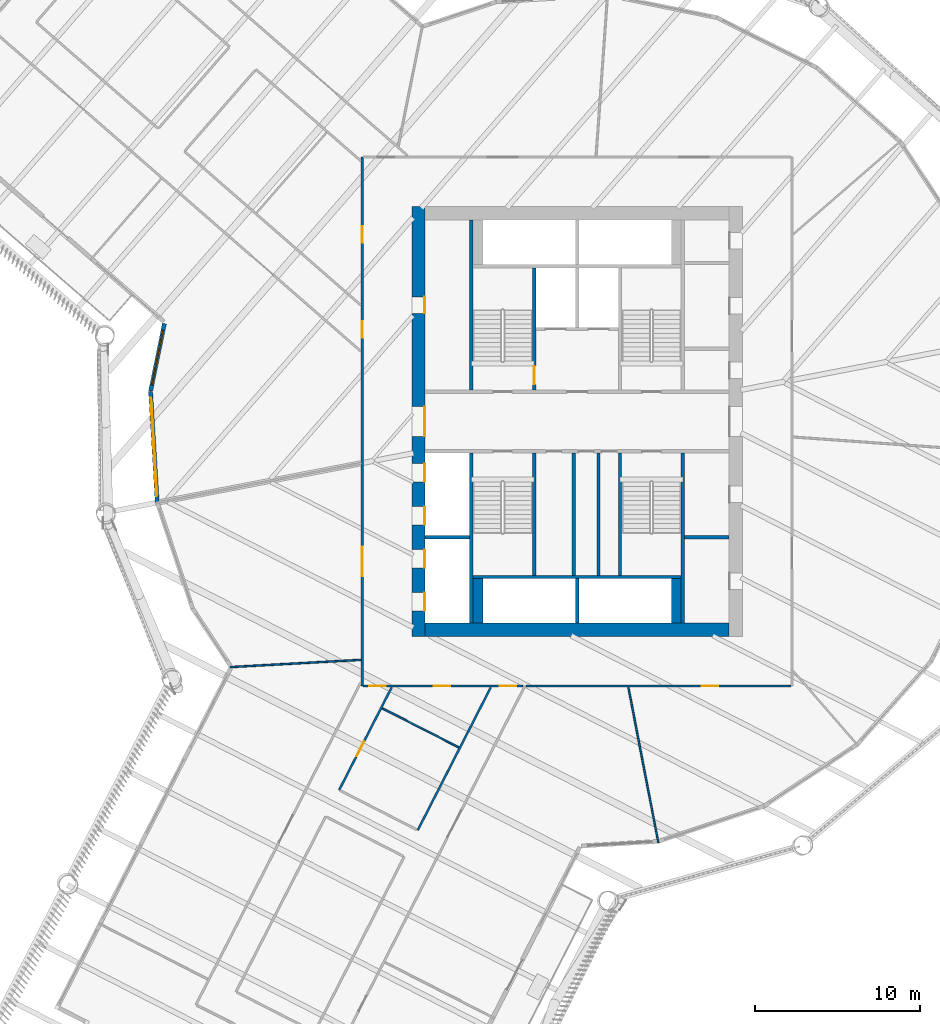
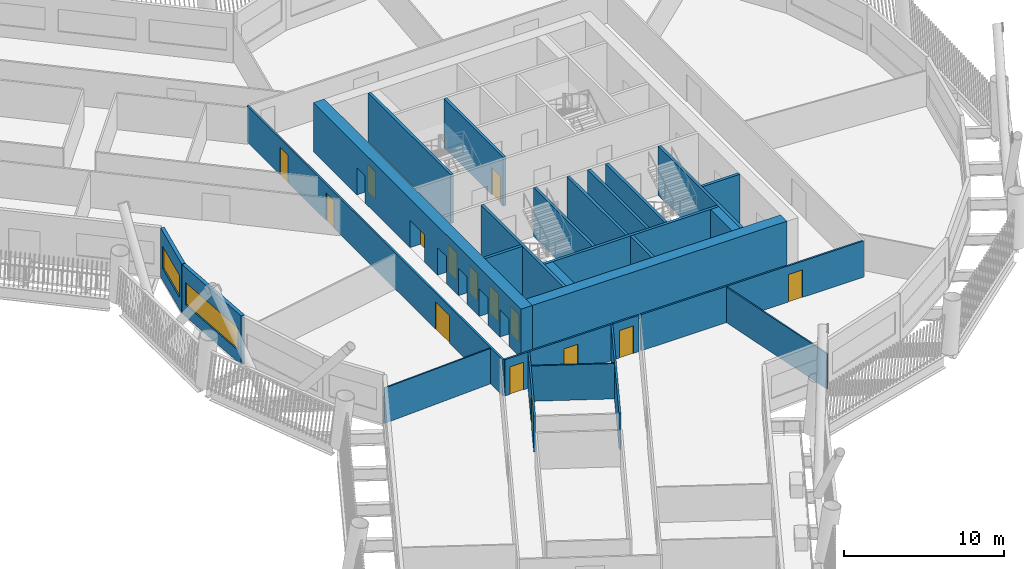
# One storey, part 4 of 21: 26 walls, 15 doors, 2 windows, 17 openings.
"""IFC4 building model written with IfcOpenShell, lengths in metres."""

from ifc_helpers import new_model, si_unit, direction, frame, frame_2d, origin, place, context, subcontext, project, spatial, rectangle, extrude, material, layer, layer_set, type_object, element, fill, save


model = new_model("IFC4")

# Units and contexts
model_context = context("Model", 3, precision=1e-05, world=origin(), true_north=direction((0.0, 1.0)))
body_context = subcontext(model_context, "Body", "Model", "MODEL_VIEW")
ifc_project = project(units=[si_unit("LENGTHUNIT", "METRE"), si_unit("AREAUNIT", "SQUARE_METRE"), si_unit("VOLUMEUNIT", "CUBIC_METRE"), si_unit("PLANEANGLEUNIT", "RADIAN"), si_unit("MASSUNIT", "GRAM", prefix="KILO")], contexts=[model_context])

# Site, building, storey
site_placement = place(None, origin())
site = spatial("IfcSite", under=ifc_project, at=site_placement, CompositionType="ELEMENT")
building_placement = place(site_placement, origin())
building = spatial("IfcBuilding", under=site, at=building_placement, Name="Tarsis Ring Headquarters", CompositionType="ELEMENT")
storey_placement = place(building_placement, frame((0.0, 0.0, 100.60009765625)))
storey = spatial("IfcBuildingStorey", under=building, at=storey_placement, Name="L22", CompositionType="ELEMENT", Elevation=100.60009765625)

# Walls
ifc_material_1 = material(Name="Blockwork", Category="masonry")
ifc_layer_1 = layer(ifc_material_1, 0.199951171875)
ifc_layer_set_1 = layer_set([ifc_layer_1], Name="Core blockwork wall 200")
wall_type_1 = type_object("IfcWallType", Name="Core blockwork wall 200", PredefinedType="PARTITIONING", material=ifc_layer_set_1)
wall_1_placement = place(storey_placement, frame((6.5, -7.0, 0.0), z_axis=(0.0, 0.0, 1.0), x_axis=(1.0, 0.0, 0.0)))
element("IfcWall", 1, at=wall_1_placement, inside=storey, type_object=wall_type_1, Name="Core partition ED2", PredefinedType="PARTITIONING", context=body_context, shape_type="SweptSolid", body=[
    extrude(rectangle(XDim=2.699951171875, YDim=0.199951171875, at=frame_2d((1.35009765625, 0.0))), origin(), (0.0, 0.0, 1.0), 3.739990234375),
])
for number, where, z_axis, x_axis, name in (
    (2, (-0.199951171875, -9.300048828125, 0.0), (0.0, 0.0, 1.0), (0.0, 1.0, 0.0), "Core partition SV1"),
    (3, (1.300048828125, -9.300048828125, 0.0), (0.0, 0.0, 1.0), (0.0, 1.0, 0.0), "Core partition SV2"),
):
    element("IfcWall", number, at=place(storey_placement, frame(where, z_axis=z_axis, x_axis=x_axis)), inside=storey, type_object=wall_type_1, Name=name, PredefinedType="PARTITIONING", context=body_context, shape_type="SweptSolid", body=[
        extrude(rectangle(XDim=7.400146484375, YDim=0.199951171875, at=frame_2d((3.7001953125, 0.0))), origin(), (0.0, 0.0, 1.0), 3.739990234375),
    ])

# Wall, openings, doors
ifc_material_2 = material(Name="Concrete C60/75", Category="concrete")
ifc_layer_2 = layer(ifc_material_2, 0.800048828125)
ifc_layer_set_2 = layer_set([ifc_layer_2], Name="Core wall 800 C60/75")
wall_type_2 = type_object("IfcWallType", Name="Core wall 800 C60/75", PredefinedType="SHEAR", material=ifc_layer_set_2)
wall_2_placement = place(storey_placement, frame((-9.60009765625, -13.0, 0.0), z_axis=(0.0, 0.0, 1.0), x_axis=(0.0, 1.0, 0.0)))
wall_2 = element("IfcWall", 4, at=wall_2_placement, inside=storey, type_object=wall_type_2, Name="Core wall OW", PredefinedType="SHEAR", context=body_context, shape_type="SweptSolid", body=[
    extrude(rectangle(XDim=26.0, YDim=0.800048828125, at=frame_2d((13.0, 0.0))), origin(), (0.0, 0.0, 1.0), 3.739990234375),
])
opening_1_placement = place(wall_2_placement, frame((1.550048828125, 0.0, 0.0)))
opening_1 = element("IfcOpeningElement", 5, at=opening_1_placement, cuts=wall_2, Name="Opening LD-LR1", PredefinedType="OPENING", context=body_context, shape_type="SweptSolid", body=[
    extrude(rectangle(XDim=1.10009765625, YDim=2.10009765625, at=frame_2d((0.550048828125, 1.050048828125))), frame((0.0, 0.409912109375, 0.0), z_axis=(0.0, -1.0, 0.0), x_axis=(1.0, 0.0, 0.0)), (0.0, 0.0, 1.0), 0.820068359375),
])
opening_2_placement = place(wall_2_placement, frame((4.14990234375, 0.0, 0.0)))
opening_2 = element("IfcOpeningElement", 6, at=opening_2_placement, cuts=wall_2, Name="Opening LD-LR2", PredefinedType="OPENING", context=body_context, shape_type="SweptSolid", body=[
    extrude(rectangle(XDim=1.10009765625, YDim=2.10009765625, at=frame_2d((0.550048828125, 1.050048828125))), frame((0.0, 0.409912109375, 0.0), z_axis=(0.0, -1.0, 0.0), x_axis=(1.0, 0.0, 0.0)), (0.0, 0.0, 1.0), 0.820068359375),
])
opening_3_placement = place(wall_2_placement, frame((6.75, 0.0, 0.0)))
opening_3 = element("IfcOpeningElement", 7, at=opening_3_placement, cuts=wall_2, Name="Opening LD-LR3", PredefinedType="OPENING", context=body_context, shape_type="SweptSolid", body=[
    extrude(rectangle(XDim=1.10009765625, YDim=2.10009765625, at=frame_2d((0.550048828125, 1.050048828125))), frame((0.0, 0.409912109375, 0.0), z_axis=(0.0, -1.0, 0.0), x_axis=(1.0, 0.0, 0.0)), (0.0, 0.0, 1.0), 0.820068359375),
])
opening_4_placement = place(wall_2_placement, frame((9.35009765625, 0.0, 0.0)))
opening_4 = element("IfcOpeningElement", 8, at=opening_4_placement, cuts=wall_2, Name="Opening LD-LR4", PredefinedType="OPENING", context=body_context, shape_type="SweptSolid", body=[
    extrude(rectangle(XDim=1.10009765625, YDim=2.10009765625, at=frame_2d((0.550048828125, 1.050048828125))), frame((0.0, 0.409912109375, 0.0), z_axis=(0.0, -1.0, 0.0), x_axis=(1.0, 0.0, 0.0)), (0.0, 0.0, 1.0), 0.820068359375),
])
opening_5_placement = place(wall_2_placement, frame((12.10009765625, 0.0, 0.0)))
opening_5 = element("IfcOpeningElement", 9, at=opening_5_placement, cuts=wall_2, Name="Opening L22-C05", PredefinedType="OPENING", context=body_context, shape_type="SweptSolid", body=[
    extrude(rectangle(XDim=1.800048828125, YDim=2.10009765625, at=frame_2d((0.89990234375, 1.050048828125))), frame((0.0, 0.409912109375, 0.0), z_axis=(0.0, -1.0, 0.0), x_axis=(1.0, 0.0, 0.0)), (0.0, 0.0, 1.0), 0.820068359375),
])
opening_6_placement = place(wall_2_placement, frame((19.550048828125, 0.0, 0.0)))
opening_6 = element("IfcOpeningElement", 10, at=opening_6_placement, cuts=wall_2, Name="Opening L22-C06", PredefinedType="OPENING", context=body_context, shape_type="SweptSolid", body=[
    extrude(rectangle(XDim=1.0, YDim=2.10009765625, at=frame_2d((0.5, 1.050048828125))), frame((0.0, 0.409912109375, 0.0), z_axis=(0.0, -1.0, 0.0), x_axis=(1.0, 0.0, 0.0)), (0.0, 0.0, 1.0), 0.820068359375),
])
ifc_material_3 = material(Name="Steel S355", Category="steel")
door_type_1 = type_object("IfcDoorType", Name="Core entry door 1800x2100", OperationType="DOUBLE_DOOR_SINGLE_SWING", PredefinedType="DOOR", material=ifc_material_3)
door_1_placement = place(opening_5_placement, origin())
door_1 = element("IfcDoor", 11, at=door_1_placement, inside=storey, type_object=door_type_1, Name="Core entry door L22", OperationType="DOUBLE_DOOR_SINGLE_SWING", OverallHeight=2.10009765625, OverallWidth=1.800048828125, PredefinedType="DOOR", context=body_context, shape_type="SweptSolid", body=[
    extrude(rectangle(XDim=1.800048828125, YDim=2.10009765625, at=frame_2d((0.89990234375, 1.050048828125))), frame((0.0, -0.35009765625, 0.0), z_axis=(0.0, -1.0, 0.0), x_axis=(1.0, 0.0, 0.0)), (0.0, 0.0, 1.0), 0.050048828125),
])
fill(opening_5, door_1)
door_type_2 = type_object("IfcDoorType", Name="Core room door 1000x2100", OperationType="SINGLE_SWING_LEFT", PredefinedType="DOOR", material=ifc_material_3)
door_2_placement = place(opening_6_placement, origin())
door_2 = element("IfcDoor", 12, at=door_2_placement, inside=storey, type_object=door_type_2, Name="Core room door L22", OperationType="SINGLE_SWING_LEFT", OverallHeight=2.10009765625, OverallWidth=1.0, PredefinedType="DOOR", context=body_context, shape_type="SweptSolid", body=[
    extrude(rectangle(XDim=1.0, YDim=2.10009765625, at=frame_2d((0.5, 1.050048828125))), frame((0.0, -0.35009765625, 0.0), z_axis=(0.0, -1.0, 0.0), x_axis=(1.0, 0.0, 0.0)), (0.0, 0.0, 1.0), 0.050048828125),
])
fill(opening_6, door_2)
door_type_3 = type_object("IfcDoorType", Name="Landing door 1100x2100", OperationType="SLIDING_TO_LEFT", PredefinedType="DOOR", material=ifc_material_3)
door_3_placement = place(opening_1_placement, origin())
door_3 = element("IfcDoor", 13, at=door_3_placement, inside=storey, type_object=door_type_3, Name="Landing door LR1 L22", OperationType="SLIDING_TO_LEFT", OverallHeight=2.10009765625, OverallWidth=1.10009765625, PredefinedType="DOOR", context=body_context, shape_type="SweptSolid", body=[
    extrude(rectangle(XDim=1.10009765625, YDim=2.10009765625, at=frame_2d((0.550048828125, 1.050048828125))), frame((0.0, -0.35009765625, 0.0), z_axis=(0.0, -1.0, 0.0), x_axis=(1.0, 0.0, 0.0)), (0.0, 0.0, 1.0), 0.050048828125),
])
fill(opening_1, door_3)
door_4_placement = place(opening_2_placement, origin())
door_4 = element("IfcDoor", 14, at=door_4_placement, inside=storey, type_object=door_type_3, Name="Landing door LR2 L22", OperationType="SLIDING_TO_LEFT", OverallHeight=2.10009765625, OverallWidth=1.10009765625, PredefinedType="DOOR", context=body_context, shape_type="SweptSolid", body=[
    extrude(rectangle(XDim=1.10009765625, YDim=2.10009765625, at=frame_2d((0.550048828125, 1.050048828125))), frame((0.0, -0.35009765625, 0.0), z_axis=(0.0, -1.0, 0.0), x_axis=(1.0, 0.0, 0.0)), (0.0, 0.0, 1.0), 0.050048828125),
])
fill(opening_2, door_4)
door_5_placement = place(opening_3_placement, origin())
door_5 = element("IfcDoor", 15, at=door_5_placement, inside=storey, type_object=door_type_3, Name="Landing door LR3 L22", OperationType="SLIDING_TO_LEFT", OverallHeight=2.10009765625, OverallWidth=1.10009765625, PredefinedType="DOOR", context=body_context, shape_type="SweptSolid", body=[
    extrude(rectangle(XDim=1.10009765625, YDim=2.10009765625, at=frame_2d((0.550048828125, 1.050048828125))), frame((0.0, -0.35009765625, 0.0), z_axis=(0.0, -1.0, 0.0), x_axis=(1.0, 0.0, 0.0)), (0.0, 0.0, 1.0), 0.050048828125),
])
fill(opening_3, door_5)
door_6_placement = place(opening_4_placement, origin())
door_6 = element("IfcDoor", 16, at=door_6_placement, inside=storey, type_object=door_type_3, Name="Landing door LR4 L22", OperationType="SLIDING_TO_LEFT", OverallHeight=2.10009765625, OverallWidth=1.10009765625, PredefinedType="DOOR", context=body_context, shape_type="SweptSolid", body=[
    extrude(rectangle(XDim=1.10009765625, YDim=2.10009765625, at=frame_2d((0.550048828125, 1.050048828125))), frame((0.0, -0.35009765625, 0.0), z_axis=(0.0, -1.0, 0.0), x_axis=(1.0, 0.0, 0.0)), (0.0, 0.0, 1.0), 0.050048828125),
])
fill(opening_4, door_6)

# Walls
wall_3_placement = place(storey_placement, frame((-9.199951171875, -12.60009765625, 0.0), z_axis=(0.0, 0.0, 1.0), x_axis=(1.0, 0.0, 0.0)))
element("IfcWall", 17, at=wall_3_placement, inside=storey, type_object=wall_type_2, Name="Core wall OS", PredefinedType="SHEAR", context=body_context, shape_type="SweptSolid", body=[
    extrude(rectangle(XDim=18.39990234375, YDim=0.800048828125, at=frame_2d((9.199951171875, 0.0))), origin(), (0.0, 0.0, 1.0), 3.739990234375),
])
ifc_material_4 = material(Name="Gypsum board on steel studs", Category="steel")
ifc_layer_3 = layer(ifc_material_4, 0.10009765625)
ifc_layer_set_3 = layer_set([ifc_layer_3], Name="FL partition 100 unrated")
wall_type_3 = type_object("IfcWallType", Name="FL partition 100 unrated", PredefinedType="PARTITIONING", material=ifc_layer_set_3)
wall_4_placement = place(storey_placement, frame((3.10009765625, -16.068603515625, 0.0), z_axis=(0.0, 0.0, 1.0), x_axis=(0.189443604535, -0.981891603335, 0.0)))
element("IfcWall", 18, at=wall_4_placement, inside=storey, type_object=wall_type_3, Name="Partition PW3", PredefinedType="PARTITIONING", context=body_context, shape_type="SweptSolid", body=[
    extrude(rectangle(XDim=9.5830078125, YDim=0.10009765625, at=frame_2d((4.79150390625, 0.0))), origin(), (0.0, 0.0, 1.0), 2.699951171875),
])
wall_5_placement = place(storey_placement, frame((-20.987548828125, -14.853271484375, 0.0), z_axis=(0.0, 0.0, 1.0), x_axis=(0.998470000898, 0.055296087623, 0.0)))
element("IfcWall", 19, at=wall_5_placement, inside=storey, type_object=wall_type_3, Name="Partition PW3", PredefinedType="PARTITIONING", context=body_context, shape_type="SweptSolid", body=[
    extrude(rectangle(XDim=7.9296875, YDim=0.10009765625, at=frame_2d((3.96484375, 0.0))), origin(), (0.0, 0.0, 1.0), 2.699951171875),
])
wall_6_placement = place(storey_placement, frame((-11.788330078125, -17.344970703125, 0.0), z_axis=(0.0, 0.0, 1.0), x_axis=(0.890372097425, -0.455233487483, 0.0)))
element("IfcWall", 20, at=wall_6_placement, inside=storey, type_object=wall_type_3, Name="Partition PW3", PredefinedType="PARTITIONING", context=body_context, shape_type="SweptSolid", body=[
    extrude(rectangle(XDim=5.199951171875, YDim=0.10009765625, at=frame_2d((2.60009765625, 0.0))), origin(), (0.0, 0.0, 1.0), 2.699951171875),
])

# Wall, openings, doors
ifc_layer_4 = layer(ifc_material_4, 0.125)
ifc_layer_set_4 = layer_set([ifc_layer_4], Name="FL partition 125 EI 60 H2770")
wall_type_4 = type_object("IfcWallType", Name="FL partition 125 EI 60 H2770", PredefinedType="PARTITIONING", material=ifc_layer_set_4)
wall_7_placement = place(storey_placement, frame((-13.0, -16.0, 0.0), z_axis=(0.0, 0.0, 1.0), x_axis=(0.0, 1.0, 0.0)))
wall_7 = element("IfcWall", 21, at=wall_7_placement, inside=storey, type_object=wall_type_4, Name="Partition PW1", PredefinedType="PARTITIONING", context=body_context, shape_type="SweptSolid", body=[
    extrude(rectangle(XDim=32.0, YDim=0.125, at=frame_2d((16.0, 0.0))), origin(), (0.0, 0.0, 1.0), 2.77001953125),
])
opening_7_placement = place(wall_7_placement, frame((6.63818359375, 0.0, 0.0)))
opening_7 = element("IfcOpeningElement", 22, at=opening_7_placement, cuts=wall_7, Name="Opening D22.12", PredefinedType="OPENING", context=body_context, shape_type="SweptSolid", body=[
    extrude(rectangle(XDim=1.800048828125, YDim=2.10009765625, at=frame_2d((0.89990234375, 1.050048828125))), frame((0.0, 0.072509765625, 0.0), z_axis=(0.0, -1.0, 0.0), x_axis=(1.0, 0.0, 0.0)), (0.0, 0.0, 1.0), 0.14501953125),
])
opening_8_placement = place(wall_7_placement, frame((26.83251953125, 0.0, 0.0)))
opening_8 = element("IfcOpeningElement", 23, at=opening_8_placement, cuts=wall_7, Name="Opening D22.14", PredefinedType="OPENING", context=body_context, shape_type="SweptSolid", body=[
    extrude(rectangle(XDim=1.0, YDim=2.10009765625, at=frame_2d((0.5, 1.050048828125))), frame((0.0, 0.072509765625, 0.0), z_axis=(0.0, -1.0, 0.0), x_axis=(1.0, 0.0, 0.0)), (0.0, 0.0, 1.0), 0.14501953125),
])
opening_9_placement = place(wall_7_placement, frame((21.0751953125, 0.0, 0.0)))
opening_9 = element("IfcOpeningElement", 24, at=opening_9_placement, cuts=wall_7, Name="Opening D22.19", PredefinedType="OPENING", context=body_context, shape_type="SweptSolid", body=[
    extrude(rectangle(XDim=1.0, YDim=2.10009765625, at=frame_2d((0.5, 1.050048828125))), frame((0.0, 0.072509765625, 0.0), z_axis=(0.0, -1.0, 0.0), x_axis=(1.0, 0.0, 0.0)), (0.0, 0.0, 1.0), 0.14501953125),
])
ifc_material_5 = material(Name="Fire-rated timber door leaf in steel frame", Category="steel")
door_type_4 = type_object("IfcDoorType", Name="FL door FD60-1000", OperationType="NOTDEFINED", PredefinedType="DOOR", material=ifc_material_5)
door_7_placement = place(opening_8_placement, origin())
door_7 = element("IfcDoor", 25, at=door_7_placement, inside=storey, type_object=door_type_4, Name="Door D22.14", OperationType="SINGLE_SWING_RIGHT", OverallHeight=2.10009765625, OverallWidth=1.0, PredefinedType="DOOR", context=body_context, shape_type="SweptSolid", body=[
    extrude(rectangle(XDim=1.0, YDim=2.10009765625, at=frame_2d((0.5, 1.050048828125))), frame((0.0, 0.02490234375, 0.0), z_axis=(0.0, -1.0, 0.0), x_axis=(1.0, 0.0, 0.0)), (0.0, 0.0, 1.0), 0.050048828125),
])
fill(opening_8, door_7)
door_8_placement = place(opening_9_placement, origin())
door_8 = element("IfcDoor", 26, at=door_8_placement, inside=storey, type_object=door_type_4, Name="Door D22.19", OperationType="SINGLE_SWING_LEFT", OverallHeight=2.10009765625, OverallWidth=1.0, PredefinedType="DOOR", context=body_context, shape_type="SweptSolid", body=[
    extrude(rectangle(XDim=1.0, YDim=2.10009765625, at=frame_2d((0.5, 1.050048828125))), frame((0.0, 0.02490234375, 0.0), z_axis=(0.0, -1.0, 0.0), x_axis=(1.0, 0.0, 0.0)), (0.0, 0.0, 1.0), 0.050048828125),
])
fill(opening_9, door_8)
door_type_5 = type_object("IfcDoorType", Name="FL door FD60-1800", OperationType="DOUBLE_DOOR_SINGLE_SWING", PredefinedType="DOOR", material=ifc_material_5)
door_9_placement = place(opening_7_placement, origin())
door_9 = element("IfcDoor", 27, at=door_9_placement, inside=storey, type_object=door_type_5, Name="Door D22.12", OperationType="DOUBLE_DOOR_SINGLE_SWING", OverallHeight=2.10009765625, OverallWidth=1.800048828125, PredefinedType="DOOR", context=body_context, shape_type="SweptSolid", body=[
    extrude(rectangle(XDim=1.800048828125, YDim=2.10009765625, at=frame_2d((0.89990234375, 1.050048828125))), frame((0.0, 0.02490234375, 0.0), z_axis=(0.0, -1.0, 0.0), x_axis=(1.0, 0.0, 0.0)), (0.0, 0.0, 1.0), 0.050048828125),
])
fill(opening_7, door_9)

wall_8_placement = place(storey_placement, frame((-12.93994140625, -16.0, 0.0), z_axis=(0.0, 0.0, 1.0), x_axis=(1.0, 0.0, 0.0)))
wall_8 = element("IfcWall", 28, at=wall_8_placement, inside=storey, type_object=wall_type_4, Name="Partition PW1", PredefinedType="PARTITIONING", context=body_context, shape_type="SweptSolid", body=[
    extrude(rectangle(XDim=9.677734375, YDim=0.125, at=frame_2d((4.8388671875, 0.0))), origin(), (0.0, 0.0, 1.0), 2.77001953125),
])
opening_10_placement = place(wall_8_placement, frame((4.259521484375, 0.0, 0.0)))
opening_10 = element("IfcOpeningElement", 29, at=opening_10_placement, cuts=wall_8, Name="Opening D22.15", PredefinedType="OPENING", context=body_context, shape_type="SweptSolid", body=[
    extrude(rectangle(XDim=1.0, YDim=2.10009765625, at=frame_2d((0.5, 1.050048828125))), frame((0.0, 0.072509765625, 0.0), z_axis=(0.0, -1.0, 0.0), x_axis=(1.0, 0.0, 0.0)), (0.0, 0.0, 1.0), 0.14501953125),
])
opening_11_placement = place(wall_8_placement, frame((0.350341796875, 0.0, 0.0)))
opening_11 = element("IfcOpeningElement", 30, at=opening_11_placement, cuts=wall_8, Name="Opening D22.17", PredefinedType="OPENING", context=body_context, shape_type="SweptSolid", body=[
    extrude(rectangle(XDim=1.0, YDim=2.10009765625, at=frame_2d((0.5, 1.050048828125))), frame((0.0, 0.072509765625, 0.0), z_axis=(0.0, -1.0, 0.0), x_axis=(1.0, 0.0, 0.0)), (0.0, 0.0, 1.0), 0.14501953125),
])
opening_12_placement = place(wall_8_placement, frame((8.26904296875, 0.0, 0.0)))
opening_12 = element("IfcOpeningElement", 31, at=opening_12_placement, cuts=wall_8, Name="Opening D22.18", PredefinedType="OPENING", context=body_context, shape_type="SweptSolid", body=[
    extrude(rectangle(XDim=1.0, YDim=2.10009765625, at=frame_2d((0.5, 1.050048828125))), frame((0.0, 0.072509765625, 0.0), z_axis=(0.0, -1.0, 0.0), x_axis=(1.0, 0.0, 0.0)), (0.0, 0.0, 1.0), 0.14501953125),
])
door_10_placement = place(opening_10_placement, origin())
door_10 = element("IfcDoor", 32, at=door_10_placement, inside=storey, type_object=door_type_4, Name="Door D22.15", OperationType="SINGLE_SWING_LEFT", OverallHeight=2.10009765625, OverallWidth=1.0, PredefinedType="DOOR", context=body_context, shape_type="SweptSolid", body=[
    extrude(rectangle(XDim=1.0, YDim=2.10009765625, at=frame_2d((0.5, 1.050048828125))), frame((0.0, 0.02490234375, 0.0), z_axis=(0.0, -1.0, 0.0), x_axis=(1.0, 0.0, 0.0)), (0.0, 0.0, 1.0), 0.050048828125),
])
fill(opening_10, door_10)
door_11_placement = place(opening_11_placement, origin())
door_11 = element("IfcDoor", 33, at=door_11_placement, inside=storey, type_object=door_type_4, Name="Door D22.17", OperationType="SINGLE_SWING_LEFT", OverallHeight=2.10009765625, OverallWidth=1.0, PredefinedType="DOOR", context=body_context, shape_type="SweptSolid", body=[
    extrude(rectangle(XDim=1.0, YDim=2.10009765625, at=frame_2d((0.5, 1.050048828125))), frame((0.0, 0.02490234375, 0.0), z_axis=(0.0, -1.0, 0.0), x_axis=(1.0, 0.0, 0.0)), (0.0, 0.0, 1.0), 0.050048828125),
])
fill(opening_11, door_11)
door_12_placement = place(opening_12_placement, origin())
door_12 = element("IfcDoor", 34, at=door_12_placement, inside=storey, type_object=door_type_4, Name="Door D22.18", OperationType="SINGLE_SWING_RIGHT", OverallHeight=2.10009765625, OverallWidth=1.0, PredefinedType="DOOR", context=body_context, shape_type="SweptSolid", body=[
    extrude(rectangle(XDim=1.0, YDim=2.10009765625, at=frame_2d((0.5, 1.050048828125))), frame((0.0, 0.02490234375, 0.0), z_axis=(0.0, -1.0, 0.0), x_axis=(1.0, 0.0, 0.0)), (0.0, 0.0, 1.0), 0.050048828125),
])
fill(opening_12, door_12)

# Wall, opening, door
wall_9_placement = place(storey_placement, frame((-3.1044921875, -16.0, 0.0), z_axis=(0.0, 0.0, 1.0), x_axis=(1.0, 0.0, 0.0)))
wall_9 = element("IfcWall", 35, at=wall_9_placement, inside=storey, type_object=wall_type_4, Name="Partition PW1", PredefinedType="PARTITIONING", context=body_context, shape_type="SweptSolid", body=[
    extrude(rectangle(XDim=16.04443359375, YDim=0.125, at=frame_2d((8.022216796875, 0.0))), origin(), (0.0, 0.0, 1.0), 2.77001953125),
])
opening_13_placement = place(wall_9_placement, frame((10.64794921875, 0.0, 0.0)))
opening_13 = element("IfcOpeningElement", 36, at=opening_13_placement, cuts=wall_9, Name="Opening D22.07", PredefinedType="OPENING", context=body_context, shape_type="SweptSolid", body=[
    extrude(rectangle(XDim=1.0, YDim=2.10009765625, at=frame_2d((0.5, 1.050048828125))), frame((0.0, 0.072509765625, 0.0), z_axis=(0.0, -1.0, 0.0), x_axis=(1.0, 0.0, 0.0)), (0.0, 0.0, 1.0), 0.14501953125),
])
door_13_placement = place(opening_13_placement, origin())
door_13 = element("IfcDoor", 37, at=door_13_placement, inside=storey, type_object=door_type_4, Name="Door D22.07", OperationType="SINGLE_SWING_LEFT", OverallHeight=2.10009765625, OverallWidth=1.0, PredefinedType="DOOR", context=body_context, shape_type="SweptSolid", body=[
    extrude(rectangle(XDim=1.0, YDim=2.10009765625, at=frame_2d((0.5, 1.050048828125))), frame((0.0, 0.02490234375, 0.0), z_axis=(0.0, -1.0, 0.0), x_axis=(1.0, 0.0, 0.0)), (0.0, 0.0, 1.0), 0.050048828125),
])
fill(opening_13, door_13)

# Wall
wall_10_placement = place(storey_placement, frame((-9.640869140625, -24.72119140625, 0.0), z_axis=(0.0, 0.0, 1.0), x_axis=(0.455225411056, 0.890376226731, 0.0)))
element("IfcWall", 38, at=wall_10_placement, inside=storey, type_object=wall_type_4, Name="Partition PW1", PredefinedType="PARTITIONING", context=body_context, shape_type="SweptSolid", body=[
    extrude(rectangle(XDim=9.705078125, YDim=0.125, at=frame_2d((4.8525390625, 0.0))), origin(), (0.0, 0.0, 1.0), 2.77001953125),
])

# Wall, opening, door
wall_11_placement = place(storey_placement, frame((-14.3955078125, -22.290283203125, 0.0), z_axis=(0.0, 0.0, 1.0), x_axis=(0.455246118127, 0.890365639459, 0.0)))
wall_11 = element("IfcWall", 39, at=wall_11_placement, inside=storey, type_object=wall_type_4, Name="Partition PW1", PredefinedType="PARTITIONING", context=body_context, shape_type="SweptSolid", body=[
    extrude(rectangle(XDim=6.974853515625, YDim=0.125, at=frame_2d((3.4873046875, 0.0))), origin(), (0.0, 0.0, 1.0), 2.77001953125),
])
opening_14_placement = place(wall_11_placement, frame((2.29296875, 0.0, 0.0)))
opening_14 = element("IfcOpeningElement", 40, at=opening_14_placement, cuts=wall_11, Name="Opening D22.16", PredefinedType="OPENING", context=body_context, shape_type="SweptSolid", body=[
    extrude(rectangle(XDim=1.0, YDim=2.10009765625, at=frame_2d((0.5, 1.050048828125))), frame((0.0, 0.072509765625, 0.0), z_axis=(0.0, -1.0, 0.0), x_axis=(1.0, 0.0, 0.0)), (0.0, 0.0, 1.0), 0.14501953125),
])
door_14_placement = place(opening_14_placement, origin())
door_14 = element("IfcDoor", 41, at=door_14_placement, inside=storey, type_object=door_type_4, Name="Door D22.16", OperationType="SINGLE_SWING_RIGHT", OverallHeight=2.10009765625, OverallWidth=1.0, PredefinedType="DOOR", context=body_context, shape_type="SweptSolid", body=[
    extrude(rectangle(XDim=1.0, YDim=2.10009765625, at=frame_2d((0.5, 1.050048828125))), frame((0.0, 0.02490234375, 0.0), z_axis=(0.0, -1.0, 0.0), x_axis=(1.0, 0.0, 0.0)), (0.0, 0.0, 1.0), 0.050048828125),
])
fill(opening_14, door_14)

# Wall, opening, window
ifc_material_6 = material(Name="Terracotta clad insulated panel wall", Category="masonry")
ifc_layer_5 = layer(ifc_material_6, 0.25)
ifc_layer_set_5 = layer_set([ifc_layer_5], Name="Facade wall terracotta panel 250")
wall_type_5 = type_object("IfcWallType", Name="Facade wall terracotta panel 250", PredefinedType="STANDARD", material=ifc_layer_set_5)
wall_12_placement = place(storey_placement, frame((-24.970458984375, 5.929931640625, 0.0), z_axis=(0.0, 0.0, 1.0), x_axis=(-0.20071006707, -0.979650687223, 0.0)))
wall_12 = element("IfcWall", 42, at=wall_12_placement, inside=storey, type_object=wall_type_5, Name="External wall L22-02", PredefinedType="STANDARD", context=body_context, shape_type="SweptSolid", body=[
    extrude(rectangle(XDim=4.15771484375, YDim=0.25, at=frame_2d((2.078857421875, 0.0))), origin(), (0.0, 0.0, 1.0), 3.739990234375),
])
opening_15_placement = place(wall_12_placement, frame((0.420166015625, 0.0, 0.89990234375)))
opening_15 = element("IfcOpeningElement", 43, at=opening_15_placement, cuts=wall_12, Name="Opening WN01", PredefinedType="OPENING", context=body_context, shape_type="SweptSolid", body=[
    extrude(rectangle(XDim=3.35009765625, YDim=1.699951171875, at=frame_2d((1.675048828125, 0.85009765625))), frame((0.0, 0.135009765625, 0.0), z_axis=(0.0, -1.0, 0.0), x_axis=(1.0, 0.0, 0.0)), (0.0, 0.0, 1.0), 0.27001953125),
])
ifc_material_7 = material(Name="Aluminium framed double glazing", Category="aluminium")
window_type_1 = type_object("IfcWindowType", Name="Facade window 3350 x 1700", PartitioningType="SINGLE_PANEL", PredefinedType="WINDOW", material=ifc_material_7)
window_1_placement = place(opening_15_placement, origin())
window_1 = element("IfcWindow", 44, at=window_1_placement, inside=storey, type_object=window_type_1, Name="Window L22-02.1", OverallHeight=1.699951171875, OverallWidth=3.35009765625, PartitioningType="SINGLE_PANEL", PredefinedType="WINDOW", context=body_context, shape_type="SweptSolid", body=[
    extrude(rectangle(XDim=3.35009765625, YDim=1.699951171875, at=frame_2d((1.675048828125, 0.85009765625))), frame((0.0, 0.030029296875, 0.0), z_axis=(0.0, -1.0, 0.0), x_axis=(1.0, 0.0, 0.0)), (0.0, 0.0, 1.0), 0.06005859375),
])
fill(opening_15, window_1)

wall_13_placement = place(storey_placement, frame((-25.807373046875, 1.824462890625, 0.0), z_axis=(0.0, 0.0, 1.0), x_axis=(0.059641837535, -0.998219841125, 0.0)))
wall_13 = element("IfcWall", 45, at=wall_13_placement, inside=storey, type_object=wall_type_5, Name="External wall L22-03", PredefinedType="STANDARD", context=body_context, shape_type="SweptSolid", body=[
    extrude(rectangle(XDim=6.721435546875, YDim=0.25, at=frame_2d((3.36083984375, 0.0))), origin(), (0.0, 0.0, 1.0), 3.739990234375),
])
opening_16_placement = place(wall_13_placement, frame((0.3857421875, 0.0, 0.89990234375)))
opening_16 = element("IfcOpeningElement", 46, at=opening_16_placement, cuts=wall_13, Name="Opening WN07", PredefinedType="OPENING", context=body_context, shape_type="SweptSolid", body=[
    extrude(rectangle(XDim=5.949951171875, YDim=1.699951171875, at=frame_2d((2.97509765625, 0.85009765625))), frame((0.0, 0.135009765625, 0.0), z_axis=(0.0, -1.0, 0.0), x_axis=(1.0, 0.0, 0.0)), (0.0, 0.0, 1.0), 0.27001953125),
])
window_type_2 = type_object("IfcWindowType", Name="Facade window 5950 x 1700", PartitioningType="SINGLE_PANEL", PredefinedType="WINDOW", material=ifc_material_7)
window_2_placement = place(opening_16_placement, origin())
window_2 = element("IfcWindow", 47, at=window_2_placement, inside=storey, type_object=window_type_2, Name="Window L22-03.1", OverallHeight=1.699951171875, OverallWidth=5.949951171875, PartitioningType="SINGLE_PANEL", PredefinedType="WINDOW", context=body_context, shape_type="SweptSolid", body=[
    extrude(rectangle(XDim=5.949951171875, YDim=1.699951171875, at=frame_2d((2.97509765625, 0.85009765625))), frame((0.0, 0.030029296875, 0.0), z_axis=(0.0, -1.0, 0.0), x_axis=(1.0, 0.0, 0.0)), (0.0, 0.0, 1.0), 0.06005859375),
])
fill(opening_16, window_2)

# Walls
ifc_material_8 = material(Name="Concrete C32/40", Category="concrete")
ifc_layer_6 = layer(ifc_material_8, 0.60009765625)
ifc_layer_set_6 = layer_set([ifc_layer_6], Name="Shaft end wall 600 C32/40")
wall_type_6 = type_object("IfcWallType", Name="Shaft end wall 600 C32/40", PredefinedType="SOLIDWALL", material=ifc_layer_set_6)
for number, where, z_axis, x_axis, name in (
    (48, (-6.0, -12.199951171875, 0.0), (0.0, 0.0, 1.0), (0.0, 1.0, 0.0), "Core shaft wall SNE1"),
    (49, (6.0, -12.199951171875, 0.0), (0.0, 0.0, 1.0), (0.0, 1.0, 0.0), "Core shaft wall SNE2"),
):
    element("IfcWall", number, at=place(storey_placement, frame(where, z_axis=z_axis, x_axis=x_axis)), inside=storey, type_object=wall_type_6, Name=name, PredefinedType="SOLIDWALL", context=body_context, shape_type="SweptSolid", body=[
        extrude(rectangle(XDim=2.699951171875, YDim=0.60009765625, at=frame_2d((1.35009765625, 0.0))), origin(), (0.0, 0.0, 1.0), 3.739990234375),
    ])
ifc_layer_7 = layer(ifc_material_8, 0.199951171875)
ifc_layer_set_7 = layer_set([ifc_layer_7], Name="Shaft wall 200 C32/40")
wall_type_7 = type_object("IfcWallType", Name="Shaft wall 200 C32/40", PredefinedType="SOLIDWALL", material=ifc_layer_set_7)
for number, where, z_axis, x_axis, name in (
    (50, (-6.39990234375, -12.199951171875, 0.0), (0.0, 0.0, 1.0), (0.0, 1.0, 0.0), "Core shaft wall WB1"),
    (51, (-6.39990234375, 1.89990234375, 0.0), (0.0, 0.0, 1.0), (0.0, 1.0, 0.0), "Core shaft wall WB2"),
    (52, (6.39990234375, -12.199951171875, 0.0), (0.0, 0.0, 1.0), (0.0, 1.0, 0.0), "Core shaft wall EB1"),
):
    element("IfcWall", number, at=place(storey_placement, frame(where, z_axis=z_axis, x_axis=x_axis)), inside=storey, type_object=wall_type_7, Name=name, PredefinedType="SOLIDWALL", context=body_context, shape_type="SweptSolid", body=[
        extrude(rectangle(XDim=10.300048828125, YDim=0.199951171875, at=frame_2d((5.14990234375, 0.0))), origin(), (0.0, 0.0, 1.0), 3.739990234375),
    ])
wall_14_placement = place(storey_placement, frame((-6.300048828125, -9.39990234375, 0.0), z_axis=(0.0, 0.0, 1.0), x_axis=(1.0, 0.0, 0.0)))
element("IfcWall", 53, at=wall_14_placement, inside=storey, type_object=wall_type_7, Name="Core shaft wall SB", PredefinedType="SOLIDWALL", context=body_context, shape_type="SweptSolid", body=[
    extrude(rectangle(XDim=12.60009765625, YDim=0.199951171875, at=frame_2d((6.300048828125, 0.0))), origin(), (0.0, 0.0, 1.0), 3.739990234375),
])

# Wall, opening, door
wall_15_placement = place(storey_placement, frame((-2.60009765625, 1.89990234375, 0.0), z_axis=(0.0, 0.0, 1.0), x_axis=(0.0, 1.0, 0.0)))
wall_15 = element("IfcWall", 54, at=wall_15_placement, inside=storey, type_object=wall_type_7, Name="Core shaft wall SW1", PredefinedType="SOLIDWALL", context=body_context, shape_type="SweptSolid", body=[
    extrude(rectangle(XDim=7.400146484375, YDim=0.199951171875, at=frame_2d((3.7001953125, 0.0))), origin(), (0.0, 0.0, 1.0), 3.739990234375),
])
opening_17_placement = place(wall_15_placement, frame((0.35009765625, 0.0, 0.0)))
opening_17 = element("IfcOpeningElement", 55, at=opening_17_placement, cuts=wall_15, Name="Opening L22-C21", PredefinedType="OPENING", context=body_context, shape_type="SweptSolid", body=[
    extrude(rectangle(XDim=1.10009765625, YDim=2.10009765625, at=frame_2d((0.550048828125, 1.050048828125))), frame((0.0, 0.10986328125, 0.0), z_axis=(0.0, -1.0, 0.0), x_axis=(1.0, 0.0, 0.0)), (0.0, 0.0, 1.0), 0.219970703125),
])
door_type_6 = type_object("IfcDoorType", Name="Stair door 1100x2100", OperationType="SINGLE_SWING_LEFT", PredefinedType="DOOR", material=ifc_material_3)
door_15_placement = place(opening_17_placement, origin())
door_15 = element("IfcDoor", 56, at=door_15_placement, inside=storey, type_object=door_type_6, Name="Stair door L22", OperationType="SINGLE_SWING_LEFT", OverallHeight=2.10009765625, OverallWidth=1.10009765625, PredefinedType="DOOR", context=body_context, shape_type="SweptSolid", body=[
    extrude(rectangle(XDim=1.10009765625, YDim=2.10009765625, at=frame_2d((0.550048828125, 1.050048828125))), frame((0.0, 0.02490234375, 0.0), z_axis=(0.0, -1.0, 0.0), x_axis=(1.0, 0.0, 0.0)), (0.0, 0.0, 1.0), 0.050048828125),
])
fill(opening_17, door_15)

# Walls
for number, where, z_axis, x_axis, name in (
    (57, (-2.60009765625, -9.300048828125, 0.0), (0.0, 0.0, 1.0), (0.0, 1.0, 0.0), "Core shaft wall SW3"),
    (58, (2.60009765625, -9.300048828125, 0.0), (0.0, 0.0, 1.0), (0.0, 1.0, 0.0), "Core shaft wall SW4"),
):
    element("IfcWall", number, at=place(storey_placement, frame(where, z_axis=z_axis, x_axis=x_axis)), inside=storey, type_object=wall_type_7, Name=name, PredefinedType="SOLIDWALL", context=body_context, shape_type="SweptSolid", body=[
        extrude(rectangle(XDim=7.400146484375, YDim=0.199951171875, at=frame_2d((3.7001953125, 0.0))), origin(), (0.0, 0.0, 1.0), 3.739990234375),
    ])
for number, where, z_axis, x_axis, name in (
    (59, (-9.199951171875, -7.0, 0.0), (0.0, 0.0, 1.0), (1.0, 0.0, 0.0), "Core shaft wall WD2"),
    (60, (0.0, -12.199951171875, 0.0), (0.0, 0.0, 1.0), (0.0, 1.0, 0.0), "Core shaft wall SD2"),
):
    element("IfcWall", number, at=place(storey_placement, frame(where, z_axis=z_axis, x_axis=x_axis)), inside=storey, type_object=wall_type_7, Name=name, PredefinedType="SOLIDWALL", context=body_context, shape_type="SweptSolid", body=[
        extrude(rectangle(XDim=2.699951171875, YDim=0.199951171875, at=frame_2d((1.35009765625, 0.0))), origin(), (0.0, 0.0, 1.0), 3.739990234375),
    ])

save(model, "model.ifc")
